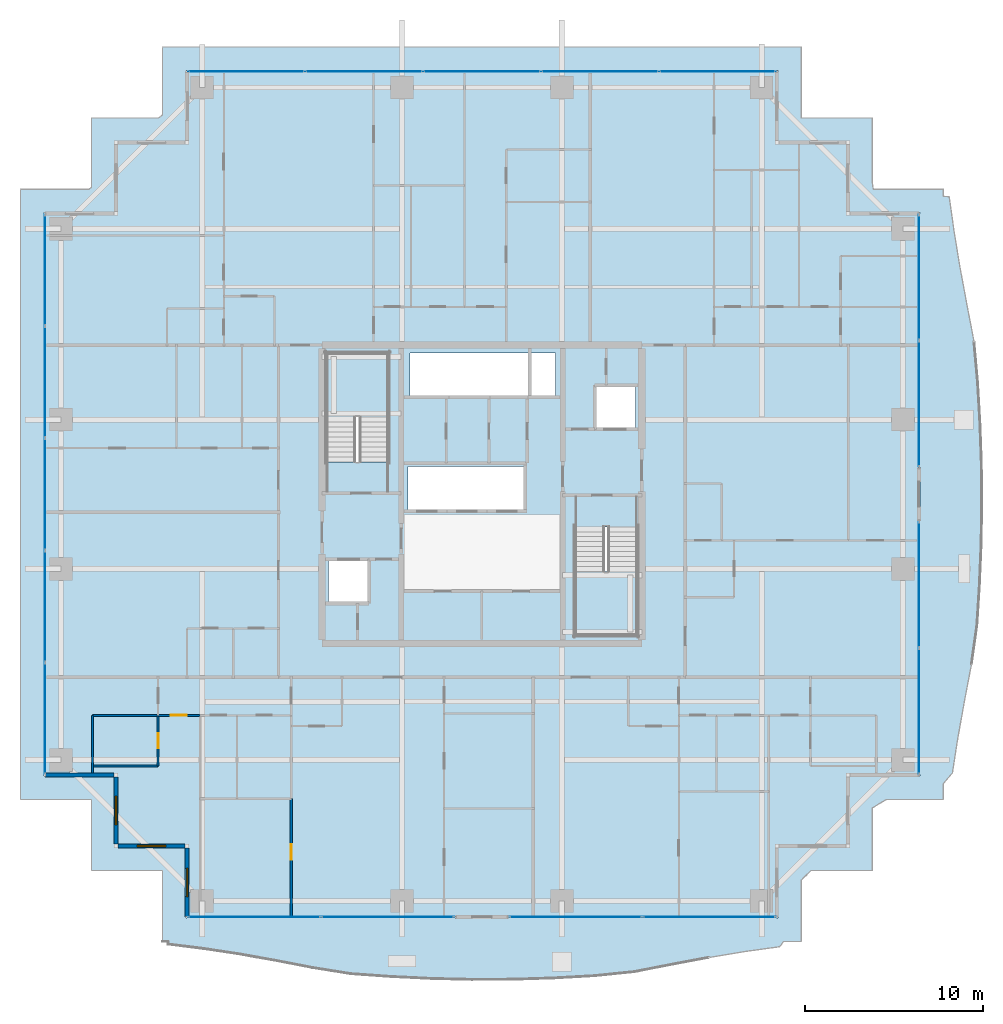
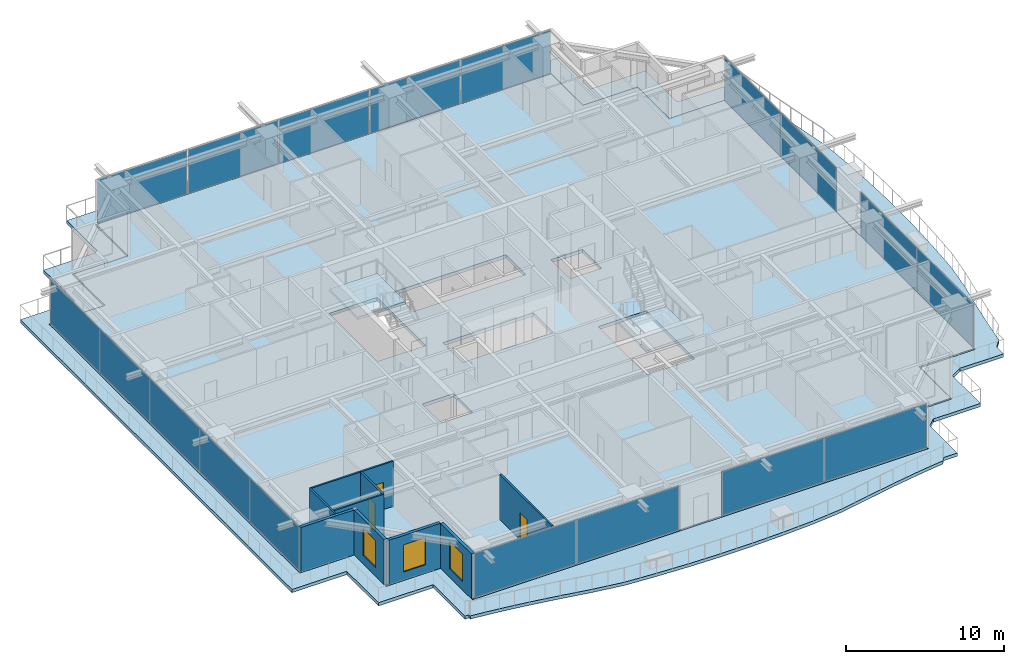
# One storey, part 26 of 38: 18 plates, 10 walls, 4 slabs, 3 doors, 3 windows, 6 openings, 8 elements without a shape of their own.
"""IFC4 building model written with IfcOpenShell, lengths in metres."""

import ifcopenshell
import ifcopenshell.guid

model = None  # the IFC model being written
_history = None  # IfcOwnerHistory: only IFC2X3 demands one
_inside = {}  # id of a spatial element -> (the spatial element, [elements in it])
_under = {}  # id of a project, library or spatial element -> (it, [spatial elements below it])
_declared = {}  # id of a project -> (the project, [libraries it declares])
_typed = {}  # id of a type object -> (the type object, [elements of that type])
_made_of = {}  # id of a material, layer set ... -> (it, [elements and type objects made of it])


def new_model(schema):
    """Start an empty IFC model of exactly this schema.

    Asked for "IFC4X3", IfcOpenShell would pick the latest addendum, in which some entities
    have other attributes; the version numbers below select the first issue.
    IFC2X3 requires an IfcOwnerHistory on every rooted entity: one is made here for all.
    """
    global model, _history
    if schema == "IFC4X3":
        model = ifcopenshell.file(schema_version=(4, 3, 0, 0))
    else:
        model = ifcopenshell.file(schema=schema)
    _inside.clear()
    _under.clear()
    _declared.clear()
    _typed.clear()
    _made_of.clear()
    _history = None
    if model.schema == "IFC2X3":
        org = make("IfcOrganization", Name="unknown")
        user = make(
            "IfcPersonAndOrganization",
            ThePerson=make("IfcPerson", FamilyName="unknown"),
            TheOrganization=org,
        )
        app = make(
            "IfcApplication",
            ApplicationDeveloper=org,
            Version="unknown",
            ApplicationFullName="unknown",
            ApplicationIdentifier="unknown",
        )
        _history = make(
            "IfcOwnerHistory",
            OwningUser=user,
            OwningApplication=app,
            ChangeAction="ADDED",
            CreationDate=0,
        )
    return model


def make(cls, **values):
    """One entity of the class cls with the attributes given. An attribute that is None is left unset."""
    return model.create_entity(
        cls, **{name: value for name, value in values.items() if value is not None}
    )


def rooted(cls, **values):
    """An entity with a GlobalId (a new one), such as an element, a storey or a relation."""
    return make(cls, GlobalId=ifcopenshell.guid.new(), OwnerHistory=_history, **values)


def si_unit(unit_type, name, prefix=None):
    """IfcSIUnit, for example si_unit("LENGTHUNIT", "METRE", prefix="MILLI")."""
    return make("IfcSIUnit", UnitType=unit_type, Prefix=prefix, Name=name)


def assignment(units):
    """IfcUnitAssignment: the units of a project."""
    return None if units is None else make("IfcUnitAssignment", Units=units)


def point(xyz):
    """IfcCartesianPoint."""
    return None if xyz is None else make("IfcCartesianPoint", Coordinates=xyz)


def direction(xyz):
    """IfcDirection."""
    return None if xyz is None else make("IfcDirection", DirectionRatios=xyz)


def frame(location, z_axis=None, x_axis=None):
    """IfcAxis2Placement3D, a coordinate frame: its origin and axes. An axis left out is left unset."""
    return make(
        "IfcAxis2Placement3D",
        Location=point(location),
        Axis=direction(z_axis),
        RefDirection=direction(x_axis),
    )


def frame_2d(location, x_axis=None):
    """IfcAxis2Placement2D, a coordinate frame in the plane: its origin and x axis."""
    return make(
        "IfcAxis2Placement2D", Location=point(location), RefDirection=direction(x_axis)
    )


def origin():
    """The frame at (0, 0, 0) with its axes left unset."""
    return frame((0.0, 0.0, 0.0))


def origin_2d():
    """The frame at (0, 0) in the plane with its x axis left unset."""
    return frame_2d((0.0, 0.0))


def place(relative_to, where):
    """IfcLocalPlacement: puts the frame where relative to a parent placement (None: the world)."""
    return make(
        "IfcLocalPlacement", PlacementRelTo=relative_to, RelativePlacement=where
    )


def context(
    kind, dimensions, precision=None, world=None, true_north=None, identifier=None
):
    """IfcGeometricRepresentationContext, for example the 3D "Model" context."""
    return make(
        "IfcGeometricRepresentationContext",
        ContextIdentifier=identifier,
        ContextType=kind,
        CoordinateSpaceDimension=dimensions,
        Precision=precision,
        WorldCoordinateSystem=world,
        TrueNorth=true_north,
    )


def subcontext(parent, identifier, kind, view, scale=None):
    """IfcGeometricRepresentationSubContext, for example "Body" below "Model"."""
    return make(
        "IfcGeometricRepresentationSubContext",
        ContextIdentifier=identifier,
        ContextType=kind,
        ParentContext=parent,
        TargetScale=scale,
        TargetView=view,
    )


def project(units=None, contexts=None):
    """IfcProject with its units and contexts."""
    return rooted(
        "IfcProject",
        Name="project",
        RepresentationContexts=contexts,
        UnitsInContext=assignment(units),
    )


def spatial(cls, under=None, at=None, **own):
    """A site, building, storey or space (cls), placed at a placement, below another one or the project."""
    s = rooted(cls, ObjectPlacement=at, **own)
    if under is not None:
        _under.setdefault(under.id(), (under, []))[1].append(s)
    return s


def polyline(points):
    """IfcPolyline through the points."""
    return make("IfcPolyline", Points=[point(p) for p in points])


def profile(cls, at=None, kind="AREA", **sizes):
    """A parametric profile (cls). Its sizes go by their IFC names, for example OverallWidth=200.0."""
    return make(cls, ProfileType=kind, Position=at, **sizes)


def rectangle(**sizes):
    """IfcRectangleProfileDef."""
    return profile("IfcRectangleProfileDef", **sizes)


def outline(outer, holes=None, kind="AREA"):
    """IfcArbitraryClosedProfileDef: a profile drawn as a closed curve; with holes, ...WithVoids."""
    if holes is None:
        return make("IfcArbitraryClosedProfileDef", ProfileType=kind, OuterCurve=outer)
    return make(
        "IfcArbitraryProfileDefWithVoids",
        ProfileType=kind,
        OuterCurve=outer,
        InnerCurves=holes,
    )


def extrude(swept, where, along, depth):
    """IfcExtrudedAreaSolid: the profile swept, set in the frame where, extruded along a direction by depth."""
    return make(
        "IfcExtrudedAreaSolid",
        SweptArea=swept,
        Position=where,
        ExtrudedDirection=direction(along),
        Depth=depth,
    )


def shape(context_of_items, identifier, shape_type, items):
    """IfcShapeRepresentation: the items that make up one representation, for example the "Body"."""
    return make(
        "IfcShapeRepresentation",
        ContextOfItems=context_of_items,
        RepresentationIdentifier=identifier,
        RepresentationType=shape_type,
        Items=items,
    )


def source(mapping_origin, context_of_items, identifier, shape_type, items):
    """IfcRepresentationMap: a shape defined once, which mapped items show again and again."""
    return make(
        "IfcRepresentationMap",
        MappingOrigin=mapping_origin,
        MappedRepresentation=shape(context_of_items, identifier, shape_type, items),
    )


def transform(
    local_origin,
    x_axis=None,
    y_axis=None,
    z_axis=None,
    scale=None,
    scale2=None,
    scale3=None,
    uniform=True,
):
    """IfcCartesianTransformationOperator3D, or its non-uniform kind. x_axis, y_axis, z_axis: its Axis1, 2, 3."""
    if uniform:
        return make(
            "IfcCartesianTransformationOperator3D",
            Axis1=direction(x_axis),
            Axis2=direction(y_axis),
            LocalOrigin=point(local_origin),
            Scale=scale,
            Axis3=direction(z_axis),
        )
    return make(
        "IfcCartesianTransformationOperator3DnonUniform",
        Axis1=direction(x_axis),
        Axis2=direction(y_axis),
        LocalOrigin=point(local_origin),
        Scale=scale,
        Axis3=direction(z_axis),
        Scale2=scale2,
        Scale3=scale3,
    )


def mapped(mapping_source, mapping_target):
    """IfcMappedItem: shows the shape of a source again, moved by a transform."""
    return make(
        "IfcMappedItem", MappingSource=mapping_source, MappingTarget=mapping_target
    )


def material(Name=None, Category=None):
    """IfcMaterial."""
    return make("IfcMaterial", Name=Name, Category=Category)


def layer(
    of_material, thickness, ventilated=None, Name=None, Category=None, Priority=None
):
    """IfcMaterialLayer: one layer of a wall or slab, of a material (None: an air gap)."""
    return make(
        "IfcMaterialLayer",
        Material=of_material,
        LayerThickness=thickness,
        IsVentilated=ventilated,
        Name=Name,
        Category=Category,
        Priority=Priority,
    )


def layer_set(layers, Name=None):
    """IfcMaterialLayerSet."""
    return make("IfcMaterialLayerSet", MaterialLayers=layers, LayerSetName=Name)


def made_of(thing, what):
    """Note that an element or type object is made of a material, layer set ...; save() writes the relation."""
    if what is not None:
        _made_of.setdefault(what.id(), (what, []))[1].append(thing)
    return thing


def type_object(cls, material=None, **own):
    """A type object (cls), such as IfcWallType, which elements share."""
    return made_of(rooted(cls, **own), material)


def element(
    cls,
    number,
    at=None,
    inside=None,
    cuts=None,
    type_object=None,
    material=None,
    context=None,
    identifier="Body",
    shape_type=None,
    held_by="IfcProductDefinitionShape",
    body=None,
    shapes=None,
    **own,
):
    """One element of the class cls, such as IfcWall. Its Tag is "e" and its number.

    at: its placement. inside: the storey or other place that contains it. cuts: it is an
    opening in that element (IfcRelVoidsElement). A single representation is given by context,
    identifier, shape_type and body (its items); several are given by shapes. held_by: the class
    of the entity that holds the representations. save() writes the other relations.
    """
    e = rooted(cls, Tag="e%d" % number, ObjectPlacement=at, **own)
    if body is not None:
        shapes = [shape(context, identifier, shape_type, body)]
    if shapes is not None:
        e.Representation = make(held_by, Representations=shapes)
    if inside is not None:
        _inside.setdefault(inside.id(), (inside, []))[1].append(e)
    if cuts is not None:
        rooted(
            "IfcRelVoidsElement", RelatingBuildingElement=cuts, RelatedOpeningElement=e
        )
    if type_object is not None:
        _typed.setdefault(type_object.id(), (type_object, []))[1].append(e)
    return made_of(e, material)


def fill(opening, filler):
    """IfcRelFillsElement: the door or window that sits in an opening."""
    return rooted(
        "IfcRelFillsElement",
        RelatingOpeningElement=opening,
        RelatedBuildingElement=filler,
    )


def aggregate(whole, parts):
    """IfcRelAggregates: a whole, such as a stair, and the parts it consists of."""
    return rooted("IfcRelAggregates", RelatingObject=whole, RelatedObjects=parts)


def save(model, path):
    """Write the relations noted so far, then the file.

    IfcRelAggregates (storeys below a building ...), IfcRelContainedInSpatialStructure (elements
    in a storey), IfcRelDefinesByType, IfcRelAssociatesMaterial and IfcRelDeclares: one each for
    every whole, place, type object, material and project.
    """
    for whole, parts in _under.values():
        aggregate(whole, parts)
    for where, things in _inside.values():
        rooted(
            "IfcRelContainedInSpatialStructure",
            RelatedElements=things,
            RelatingStructure=where,
        )
    for kind, things in _typed.values():
        rooted("IfcRelDefinesByType", RelatedObjects=things, RelatingType=kind)
    for what, things in _made_of.values():
        rooted("IfcRelAssociatesMaterial", RelatedObjects=things, RelatingMaterial=what)
    for by, libraries in _declared.values():
        rooted("IfcRelDeclares", RelatingContext=by, RelatedDefinitions=libraries)
    model.write(path)


model = new_model("IFC4")

# Units and contexts
model_context = context("Model", 3, precision=1e-05, world=origin(), true_north=direction((0.0, 1.0)))
body_context = subcontext(model_context, "Body", "Model", "MODEL_VIEW")
ifc_project = project(units=[si_unit("LENGTHUNIT", "METRE"), si_unit("AREAUNIT", "SQUARE_METRE"), si_unit("VOLUMEUNIT", "CUBIC_METRE"), si_unit("PLANEANGLEUNIT", "RADIAN"), si_unit("MASSUNIT", "GRAM", prefix="KILO")], contexts=[model_context])

# Site, building, storey
site_placement = place(None, origin())
site = spatial("IfcSite", under=ifc_project, at=site_placement, CompositionType="ELEMENT")
building_placement = place(site_placement, origin())
building = spatial("IfcBuilding", under=site, at=building_placement, Name="Serunith Strait Residences", CompositionType="ELEMENT")
storey_placement = place(building_placement, frame((0.0, 0.0, 176.39990234375)))
storey = spatial("IfcBuildingStorey", under=building, at=storey_placement, Name="L44", CompositionType="ELEMENT", Elevation=176.39990234375)

# Slab
ifc_material_1 = material(Name="Concrete C50/60", Category="concrete")
ifc_layer_1 = layer(ifc_material_1, 0.239990234375, Name="Concrete C50/60")
ifc_layer_set_1 = layer_set([ifc_layer_1], Name="Concrete C50/60")
slab_type_1 = type_object("IfcSlabType", Name="SLB-BALC-240", PredefinedType="FLOOR", material=ifc_layer_set_1)
slab_1_placement = place(storey_placement, frame((0.0, 0.0, -0.289794921875)))
element("IfcSlab", 1, at=slab_1_placement, inside=storey, type_object=slab_type_1, Name="L44 Planted Vertical-Forest Balcony Slab", PredefinedType="FLOOR", context=body_context, shape_type="SweptSolid", body=[
    extrude(outline(polyline([(14.419921875, 0.02001953125), (14.419921875, 4.02001953125), (10.419921875, 4.02001953125), (10.419921875, 8.02001953125), (6.419921875, 8.02001953125), (6.419921875, 42.3798828125), (10.284912109375, 42.3798828125), (10.419921875, 42.47802734375), (10.419921875, 46.3798828125), (14.1982421875, 46.3798828125), (14.419921875, 46.55908203125), (14.419921875, 50.3798828125), (50.3798828125, 50.3798828125), (50.3798828125, 46.3798828125), (54.3798828125, 46.3798828125), (54.3798828125, 42.723388671875), (54.4306640625, 42.3798828125), (58.3798828125, 42.3798828125), (58.3798828125, 41.972412109375), (58.706787109375, 41.95361328125), (58.987060546875, 39.952392578125), (59.322509765625, 37.931640625), (59.7041015625, 35.873779296875), (60.108642578125, 33.760498046875), (60.309326171875, 31.534423828125), (60.442626953125, 29.265869140625), (60.52490234375, 26.97216796875), (60.548095703125, 24.666015625), (60.51025390625, 22.3623046875), (60.414794921875, 20.0751953125), (60.270751953125, 17.81689453125), (59.96142578125, 15.639404296875), (59.562744140625, 13.55078125), (59.197509765625, 11.5107421875), (58.88330078125, 9.500244140625), (58.3798828125, 8.91259765625), (58.3798828125, 8.02001953125), (55.173828125, 8.02001953125), (54.3798828125, 7.547119140625), (54.3798828125, 4.02001953125), (50.934814453125, 4.02001953125), (50.3798828125, 3.486083984375), (50.3798828125, 0.02001953125), (49.37158203125, 0.02001953125), (49.1650390625, -0.2685546875), (47.16650390625, -0.54638671875), (45.149169921875, -0.8828125), (43.09521484375, -1.268798828125), (40.98388671875, -1.68115234375), (38.759521484375, -1.908935546875), (36.481689453125, -2.037109375), (34.1787109375, -2.110107421875), (31.8642578125, -2.120361328125), (29.554931640625, -2.06689453125), (27.265625, -1.955078125), (25.00830078125, -1.79638671875), (22.845458984375, -1.448486328125), (20.76611328125, -1.04541015625), (18.73291015625, -0.683837890625), (16.726806640625, -0.37890625), (14.7314453125, -0.132080078125), (14.732666015625, 0.02001953125), (14.419921875, 0.02001953125)]), holes=[polyline([(49.054931640625, 1.344970703125), (49.054931640625, 5.344970703125), (53.054931640625, 5.344970703125), (53.054931640625, 9.344970703125), (57.054931640625, 9.344970703125), (57.054931640625, 41.054931640625), (53.054931640625, 41.054931640625), (53.054931640625, 45.054931640625), (49.054931640625, 45.054931640625), (49.054931640625, 49.054931640625), (15.7451171875, 49.054931640625), (15.7451171875, 45.054931640625), (11.7451171875, 45.054931640625), (11.7451171875, 41.054931640625), (7.7451171875, 41.054931640625), (7.7451171875, 9.344970703125), (11.7451171875, 9.344970703125), (11.7451171875, 5.344970703125), (15.7451171875, 5.344970703125), (15.7451171875, 1.344970703125), (49.054931640625, 1.344970703125)])]), origin(), (0.0, 0.0, 1.0), 0.239990234375),
])

# Stair, slab
stair_type_1 = type_object("IfcStairType", Name="STR-CORE-1", PredefinedType="HALF_TURN_STAIR", material=ifc_material_1)
stair_1_placement = place(storey_placement, origin())
stair_1 = element("IfcStair", 2, at=stair_1_placement, inside=storey, type_object=stair_type_1, Name="L44 Protected Escape Stair ST-1", PredefinedType="HALF_TURN_STAIR")
ifc_layer_2 = layer(ifc_material_1, 0.199951171875, Name="Concrete C50/60")
ifc_layer_set_2 = layer_set([ifc_layer_2], Name="Concrete C50/60")
slab_type_2 = type_object("IfcSlabType", Name="SLB-LAND-200", PredefinedType="LANDING", material=ifc_layer_set_2)
slab_2_placement = place(storey_placement, frame((0.0, 0.0, 1.675048828125)))
slab_2 = element("IfcSlab", 3, at=slab_2_placement, type_object=slab_type_2, Name="ST-1 landing 1", PredefinedType="LANDING", context=body_context, shape_type="SweptSolid", body=[
    extrude(outline(polyline([(27.14990234375, 29.550048828125), (27.14990234375, 33.14990234375), (23.64990234375, 33.14990234375), (23.64990234375, 29.550048828125), (27.14990234375, 29.550048828125)])), origin(), (0.0, 0.0, 1.0), 0.199951171875),
])
aggregate(stair_1, [slab_2])

stair_type_2 = type_object("IfcStairType", Name="STR-CORE-2", PredefinedType="HALF_TURN_STAIR", material=ifc_material_1)
stair_2_placement = place(storey_placement, origin())
stair_2 = element("IfcStair", 4, at=stair_2_placement, inside=storey, type_object=stair_type_2, Name="L44 Protected Escape Stair ST-2", PredefinedType="HALF_TURN_STAIR")
slab_3_placement = place(storey_placement, frame((0.0, 0.0, 1.675048828125)))
slab_3 = element("IfcSlab", 5, at=slab_3_placement, type_object=slab_type_2, Name="ST-2 landing 1", PredefinedType="LANDING", context=body_context, shape_type="SweptSolid", body=[
    extrude(outline(polyline([(37.64990234375, 20.85009765625), (37.64990234375, 17.25), (41.14990234375, 17.25), (41.14990234375, 20.85009765625), (37.64990234375, 20.85009765625)])), origin(), (0.0, 0.0, 1.0), 0.199951171875),
])
aggregate(stair_2, [slab_3])

# Slab
ifc_material_2 = material(Name="Concrete C60/75", Category="concrete")
ifc_layer_3 = layer(ifc_material_2, 0.260009765625, Name="Concrete C60/75")
ifc_layer_set_3 = layer_set([ifc_layer_3], Name="Concrete C60/75")
slab_type_3 = type_object("IfcSlabType", Name="SLB-TWR-260-Z2", PredefinedType="FLOOR", material=ifc_layer_set_3)
slab_4_placement = place(storey_placement, frame((0.0, 0.0, -0.260009765625)))
element("IfcSlab", 6, at=slab_4_placement, inside=storey, type_object=slab_type_3, Name="L44 Structural Floor Plate", PredefinedType="FLOOR", context=body_context, shape_type="SweptSolid", body=[
    extrude(outline(polyline([(15.800048828125, 5.39990234375), (11.800048828125, 5.39990234375), (11.800048828125, 9.39990234375), (7.800048828125, 9.39990234375), (7.800048828125, 41.0), (11.800048828125, 41.0), (11.800048828125, 45.0), (15.800048828125, 45.0), (15.800048828125, 49.0), (49.0, 49.0), (49.0, 45.0), (53.0, 45.0), (53.0, 41.0), (57.0, 41.0), (57.0, 9.39990234375), (53.0, 9.39990234375), (53.0, 5.39990234375), (49.0, 5.39990234375), (49.0, 1.39990234375), (15.800048828125, 1.39990234375), (15.800048828125, 5.39990234375)]), holes=[polyline([(41.14990234375, 23.3701171875), (37.64990234375, 23.3701171875), (37.64990234375, 17.25), (41.14990234375, 17.25), (41.14990234375, 23.3701171875)]), polyline([(38.75, 31.25), (38.75, 28.85009765625), (41.050048828125, 28.85009765625), (41.050048828125, 31.25), (38.75, 31.25)]), polyline([(36.550048828125, 33.14990234375), (28.35009765625, 33.14990234375), (28.35009765625, 30.64990234375), (36.550048828125, 30.64990234375), (36.550048828125, 33.14990234375)]), polyline([(34.85009765625, 26.75), (28.25, 26.75), (28.25, 24.25), (34.85009765625, 24.25), (34.85009765625, 26.75)]), polyline([(23.64990234375, 33.14990234375), (23.64990234375, 27.030029296875), (27.14990234375, 27.030029296875), (27.14990234375, 33.14990234375), (23.64990234375, 33.14990234375)]), polyline([(26.050048828125, 21.550048828125), (23.75, 21.550048828125), (23.75, 19.14990234375), (26.050048828125, 19.14990234375), (26.050048828125, 21.550048828125)])]), origin(), (0.0, 0.0, 1.0), 0.260009765625),
])

# Curtain wall, plates
ifc_material_3 = material(Name="Pale-Champagne Anodised Aluminium", Category="aluminium")
ifc_layer_4 = layer(ifc_material_3, 0.199951171875, Name="Pale-Champagne Anodised Aluminium")
ifc_layer_set_4 = layer_set([ifc_layer_4], Name="Pale-Champagne Anodised Aluminium")
curtain_wall_type = type_object("IfcCurtainWallType", Name="CW-SYS2", PredefinedType="NOTDEFINED", material=ifc_layer_set_4)
curtain_wall_1_placement = place(storey_placement, origin())
curtain_wall_1 = element("IfcCurtainWall", 7, at=curtain_wall_1_placement, inside=storey, type_object=curtain_wall_type, Name="L44 N Unitised Fritted Curtain Wall", PredefinedType="NOTDEFINED")
ifc_material_4 = material(Name="Diagonal-Frit Operable Low-E Glazing 30mm", Category="glass")
ifc_layer_5 = layer(ifc_material_4, 0.030029296875, Name="Diagonal-Frit Operable Low-E Glazing 30mm")
ifc_layer_set_5 = layer_set([ifc_layer_5], Name="Diagonal-Frit Operable Low-E Glazing 30mm")
plate_type = type_object("IfcPlateType", Name="CW-SYS2-PNL", PredefinedType="CURTAIN_PANEL", material=ifc_layer_set_5)
shared_shape_1 = source(origin(), body_context, "Body", "SweptSolid", [
    extrude(rectangle(XDim=6.534912109375, YDim=0.030029296875, at=origin_2d()), origin(), (0.0, 0.0, 1.0), 3.35498046875),
])
plate_1_placement = place(storey_placement, frame((45.66259765625, 49.0, 0.06005859375), z_axis=(0.0, 0.0, 1.0), x_axis=(-1.0, 0.0, 0.0)))
plate_1 = element("IfcPlate", 8, at=plate_1_placement, type_object=plate_type, Name="CW-2 panel 1.1", PredefinedType="CURTAIN_PANEL", context=body_context, shape_type="MappedRepresentation", body=[
    mapped(shared_shape_1, transform((0.0, 0.0, 0.0), scale=1.0)),
])
plate_2_placement = place(storey_placement, frame((19.137451171875, 49.0, 0.06005859375), z_axis=(0.0, 0.0, 1.0), x_axis=(-1.0, 0.0, 0.0)))
plate_2 = element("IfcPlate", 9, at=plate_2_placement, type_object=plate_type, Name="CW-2 panel 5.1", PredefinedType="CURTAIN_PANEL", context=body_context, shape_type="MappedRepresentation", body=[
    mapped(shared_shape_1, transform((0.0, 0.0, 0.0), scale=1.0)),
])
shared_shape_2 = source(origin(), body_context, "Body", "SweptSolid", [
    extrude(rectangle(XDim=6.570068359375, YDim=0.030029296875, at=origin_2d()), origin(), (0.0, 0.0, 1.0), 3.35498046875),
])
plate_3_placement = place(storey_placement, frame((39.0400390625, 49.0, 0.06005859375), z_axis=(0.0, 0.0, 1.0), x_axis=(-1.0, 0.0, 0.0)))
plate_3 = element("IfcPlate", 10, at=plate_3_placement, type_object=plate_type, Name="CW-2 panel 2.1", PredefinedType="CURTAIN_PANEL", context=body_context, shape_type="MappedRepresentation", body=[
    mapped(shared_shape_2, transform((0.0, 0.0, 0.0), scale=1.0)),
])
plate_4_placement = place(storey_placement, frame((32.39990234375, 49.0, 0.06005859375), z_axis=(0.0, 0.0, 1.0), x_axis=(-1.0, 0.0, 0.0)))
plate_4 = element("IfcPlate", 11, at=plate_4_placement, type_object=plate_type, Name="CW-2 panel 3.1", PredefinedType="CURTAIN_PANEL", context=body_context, shape_type="MappedRepresentation", body=[
    mapped(shared_shape_2, transform((0.0, 0.0, 0.0), scale=1.0)),
])
plate_5_placement = place(storey_placement, frame((25.760009765625, 49.0, 0.06005859375), z_axis=(0.0, 0.0, 1.0), x_axis=(-1.0, 0.0, 0.0)))
plate_5 = element("IfcPlate", 12, at=plate_5_placement, type_object=plate_type, Name="CW-2 panel 4.1", PredefinedType="CURTAIN_PANEL", context=body_context, shape_type="MappedRepresentation", body=[
    mapped(shared_shape_2, transform((0.0, 0.0, 0.0), scale=1.0)),
])
aggregate(curtain_wall_1, [plate_1, plate_3, plate_4, plate_5, plate_2])

curtain_wall_2_placement = place(storey_placement, origin())
curtain_wall_2 = element("IfcCurtainWall", 13, at=curtain_wall_2_placement, inside=storey, type_object=curtain_wall_type, Name="L44 W Unitised Fritted Curtain Wall", PredefinedType="NOTDEFINED")
shared_shape_3 = source(origin(), body_context, "Body", "SweptSolid", [
    extrude(rectangle(XDim=6.215087890625, YDim=0.030029296875, at=origin_2d()), origin(), (0.0, 0.0, 1.0), 3.35498046875),
])
plate_6_placement = place(storey_placement, frame((7.800048828125, 37.822509765625, 0.06005859375), z_axis=(0.0, 0.0, 1.0), x_axis=(0.0, -1.0, 0.0)))
plate_6 = element("IfcPlate", 14, at=plate_6_placement, type_object=plate_type, Name="CW-2 panel 1.1", PredefinedType="CURTAIN_PANEL", context=body_context, shape_type="MappedRepresentation", body=[
    mapped(shared_shape_3, transform((0.0, 0.0, 0.0), scale=1.0)),
])
plate_7_placement = place(storey_placement, frame((7.800048828125, 12.577392578125, 0.06005859375), z_axis=(0.0, 0.0, 1.0), x_axis=(0.0, -1.0, 0.0)))
plate_7 = element("IfcPlate", 15, at=plate_7_placement, type_object=plate_type, Name="CW-2 panel 5.1", PredefinedType="CURTAIN_PANEL", context=body_context, shape_type="MappedRepresentation", body=[
    mapped(shared_shape_3, transform((0.0, 0.0, 0.0), scale=1.0)),
])
shared_shape_4 = source(origin(), body_context, "Body", "SweptSolid", [
    extrude(rectangle(XDim=6.25, YDim=0.030029296875, at=origin_2d()), origin(), (0.0, 0.0, 1.0), 3.35498046875),
])
plate_8_placement = place(storey_placement, frame((7.800048828125, 31.52001953125, 0.06005859375), z_axis=(0.0, 0.0, 1.0), x_axis=(0.0, -1.0, 0.0)))
plate_8 = element("IfcPlate", 16, at=plate_8_placement, type_object=plate_type, Name="CW-2 panel 2.1", PredefinedType="CURTAIN_PANEL", context=body_context, shape_type="MappedRepresentation", body=[
    mapped(shared_shape_4, transform((0.0, 0.0, 0.0), scale=1.0)),
])
plate_9_placement = place(storey_placement, frame((7.800048828125, 25.199951171875, 0.06005859375), z_axis=(0.0, 0.0, 1.0), x_axis=(0.0, -1.0, 0.0)))
plate_9 = element("IfcPlate", 17, at=plate_9_placement, type_object=plate_type, Name="CW-2 panel 3.1", PredefinedType="CURTAIN_PANEL", context=body_context, shape_type="MappedRepresentation", body=[
    mapped(shared_shape_4, transform((0.0, 0.0, 0.0), scale=1.0)),
])
plate_10_placement = place(storey_placement, frame((7.800048828125, 18.8798828125, 0.06005859375), z_axis=(0.0, 0.0, 1.0), x_axis=(0.0, -1.0, 0.0)))
plate_10 = element("IfcPlate", 18, at=plate_10_placement, type_object=plate_type, Name="CW-2 panel 4.1", PredefinedType="CURTAIN_PANEL", context=body_context, shape_type="MappedRepresentation", body=[
    mapped(shared_shape_4, transform((0.0, 0.0, 0.0), scale=1.0)),
])
aggregate(curtain_wall_2, [plate_6, plate_8, plate_9, plate_10, plate_7])

curtain_wall_3_placement = place(storey_placement, origin())
curtain_wall_3 = element("IfcCurtainWall", 19, at=curtain_wall_3_placement, inside=storey, type_object=curtain_wall_type, Name="L44 S Unitised Fritted Curtain Wall", PredefinedType="NOTDEFINED")
shared_shape_5 = source(origin(), body_context, "Body", "SweptSolid", [
    extrude(rectangle(XDim=7.445068359375, YDim=0.030029296875, at=origin_2d()), origin(), (0.0, 0.0, 1.0), 3.35498046875),
])
plate_11_placement = place(storey_placement, frame((19.592529296875, 1.39990234375, 0.06005859375), z_axis=(0.0, 0.0, 1.0), x_axis=(1.0, 0.0, 0.0)))
plate_11 = element("IfcPlate", 20, at=plate_11_placement, type_object=plate_type, Name="CW-2 panel 1.1", PredefinedType="CURTAIN_PANEL", context=body_context, shape_type="MappedRepresentation", body=[
    mapped(shared_shape_5, transform((0.0, 0.0, 0.0), scale=1.0)),
])
plate_12_placement = place(storey_placement, frame((27.107421875, 1.39990234375, 0.06005859375), z_axis=(0.0, 0.0, 1.0), x_axis=(1.0, 0.0, 0.0)))
plate_12 = element("IfcPlate", 21, at=plate_12_placement, type_object=plate_type, Name="CW-2 panel 2.1", PredefinedType="CURTAIN_PANEL", context=body_context, shape_type="MappedRepresentation", body=[
    mapped(shared_shape_5, transform((0.0, 0.0, 0.0), scale=1.0)),
])
aggregate(curtain_wall_3, [plate_11, plate_12])

curtain_wall_4_placement = place(storey_placement, origin())
curtain_wall_4 = element("IfcCurtainWall", 22, at=curtain_wall_4_placement, inside=storey, type_object=curtain_wall_type, Name="L44 S Unitised Fritted Curtain Wall", PredefinedType="NOTDEFINED")
plate_13_placement = place(storey_placement, frame((37.6923828125, 1.39990234375, 0.06005859375), z_axis=(0.0, 0.0, 1.0), x_axis=(1.0, 0.0, 0.0)))
plate_13 = element("IfcPlate", 23, at=plate_13_placement, type_object=plate_type, Name="CW-2 panel 1.1", PredefinedType="CURTAIN_PANEL", context=body_context, shape_type="MappedRepresentation", body=[
    mapped(shared_shape_5, transform((0.0, 0.0, 0.0), scale=1.0)),
])
plate_14_placement = place(storey_placement, frame((45.20751953125, 1.39990234375, 0.06005859375), z_axis=(0.0, 0.0, 1.0), x_axis=(1.0, 0.0, 0.0)))
plate_14 = element("IfcPlate", 24, at=plate_14_placement, type_object=plate_type, Name="CW-2 panel 2.1", PredefinedType="CURTAIN_PANEL", context=body_context, shape_type="MappedRepresentation", body=[
    mapped(shared_shape_5, transform((0.0, 0.0, 0.0), scale=1.0)),
])
aggregate(curtain_wall_4, [plate_13, plate_14])

curtain_wall_5_placement = place(storey_placement, origin())
curtain_wall_5 = element("IfcCurtainWall", 25, at=curtain_wall_5_placement, inside=storey, type_object=curtain_wall_type, Name="L44 E Unitised Fritted Curtain Wall", PredefinedType="NOTDEFINED")
shared_shape_6 = source(origin(), body_context, "Body", "SweptSolid", [
    extrude(rectangle(XDim=7.044921875, YDim=0.030029296875, at=origin_2d()), origin(), (0.0, 0.0, 1.0), 3.35498046875),
])
plate_15_placement = place(storey_placement, frame((57.0, 12.992431640625, 0.06005859375), z_axis=(0.0, 0.0, 1.0), x_axis=(0.0, 1.0, 0.0)))
plate_15 = element("IfcPlate", 26, at=plate_15_placement, type_object=plate_type, Name="CW-2 panel 1.1", PredefinedType="CURTAIN_PANEL", context=body_context, shape_type="MappedRepresentation", body=[
    mapped(shared_shape_6, transform((0.0, 0.0, 0.0), scale=1.0)),
])
plate_16_placement = place(storey_placement, frame((57.0, 20.107421875, 0.06005859375), z_axis=(0.0, 0.0, 1.0), x_axis=(0.0, 1.0, 0.0)))
plate_16 = element("IfcPlate", 27, at=plate_16_placement, type_object=plate_type, Name="CW-2 panel 2.1", PredefinedType="CURTAIN_PANEL", context=body_context, shape_type="MappedRepresentation", body=[
    mapped(shared_shape_6, transform((0.0, 0.0, 0.0), scale=1.0)),
])
aggregate(curtain_wall_5, [plate_15, plate_16])

curtain_wall_6_placement = place(storey_placement, origin())
curtain_wall_6 = element("IfcCurtainWall", 28, at=curtain_wall_6_placement, inside=storey, type_object=curtain_wall_type, Name="L44 E Unitised Fritted Curtain Wall", PredefinedType="NOTDEFINED")
plate_17_placement = place(storey_placement, frame((57.0, 30.29248046875, 0.06005859375), z_axis=(0.0, 0.0, 1.0), x_axis=(0.0, 1.0, 0.0)))
plate_17 = element("IfcPlate", 29, at=plate_17_placement, type_object=plate_type, Name="CW-2 panel 1.1", PredefinedType="CURTAIN_PANEL", context=body_context, shape_type="MappedRepresentation", body=[
    mapped(shared_shape_6, transform((0.0, 0.0, 0.0), scale=1.0)),
])
plate_18_placement = place(storey_placement, frame((57.0, 37.407470703125, 0.06005859375), z_axis=(0.0, 0.0, 1.0), x_axis=(0.0, 1.0, 0.0)))
plate_18 = element("IfcPlate", 30, at=plate_18_placement, type_object=plate_type, Name="CW-2 panel 2.1", PredefinedType="CURTAIN_PANEL", context=body_context, shape_type="MappedRepresentation", body=[
    mapped(shared_shape_6, transform((0.0, 0.0, 0.0), scale=1.0)),
])
aggregate(curtain_wall_6, [plate_17, plate_18])

# Wall
ifc_material_5 = material(Name="Pale-Champagne Aluminium Insulated Panel", Category="aluminium")
ifc_layer_6 = layer(ifc_material_5, 0.219970703125, Name="Pale-Champagne Aluminium Insulated Panel")
ifc_layer_set_6 = layer_set([ifc_layer_6], Name="Pale-Champagne Aluminium Insulated Panel")
wall_type_1 = type_object("IfcWallType", Name="EW-ALUM-220", PredefinedType="ELEMENTEDWALL", material=ifc_layer_set_6)
wall_1_placement = place(storey_placement, frame((7.800048828125, 9.39990234375, 0.0), z_axis=(0.0, 0.0, 1.0), x_axis=(1.0, 0.0, 0.0)))
element("IfcWall", 31, at=wall_1_placement, inside=storey, type_object=wall_type_1, Name="L44 Girih Serrated Corner Wall 17", PredefinedType="ELEMENTEDWALL", context=body_context, shape_type="SweptSolid", body=[
    extrude(rectangle(XDim=3.889892578125, YDim=0.219970703125, at=frame_2d((1.94482421875, 0.0))), origin(), (0.0, 0.0, 1.0), 3.47509765625),
])

# Wall, opening, window
wall_2_placement = place(storey_placement, frame((11.800048828125, 9.2900390625, 0.0), z_axis=(0.0, 0.0, 1.0), x_axis=(0.0, -1.0, 0.0)))
wall_2 = element("IfcWall", 32, at=wall_2_placement, inside=storey, type_object=wall_type_1, Name="L44 Girih Serrated Corner Wall 18", PredefinedType="ELEMENTEDWALL", context=body_context, shape_type="SweptSolid", body=[
    extrude(rectangle(XDim=3.780029296875, YDim=0.219970703125, at=frame_2d((1.89013671875, 0.0))), origin(), (0.0, 0.0, 1.0), 3.47509765625),
])
opening_1_placement = place(wall_2_placement, frame((1.090087890625, 0.0, 0.64990234375)))
opening_1 = element("IfcOpeningElement", 33, at=opening_1_placement, cuts=wall_2, Name="Opening W-02", PredefinedType="OPENING", context=body_context, shape_type="SweptSolid", body=[
    extrude(rectangle(XDim=1.60009765625, YDim=2.10009765625, at=frame_2d((0.800048828125, 1.050048828125))), frame((0.0, 0.1201171875, 0.0), z_axis=(0.0, -1.0, 0.0), x_axis=(1.0, 0.0, 0.0)), (0.0, 0.0, 1.0), 0.239990234375),
])
ifc_material_6 = material(Name="Ceramic-Fritted Operable Aluminium Window Glass", Category="aluminium")
window_type = type_object("IfcWindowType", Name="WIN-C2", PartitioningType="DOUBLE_PANEL_VERTICAL", PredefinedType="WINDOW", material=ifc_material_6)
shared_shape_7 = source(origin(), body_context, "Body", "SweptSolid", [
    extrude(rectangle(XDim=1.60009765625, YDim=2.10009765625, at=frame_2d((0.800048828125, 1.050048828125))), frame((0.0, 0.030029296875, 0.0), z_axis=(0.0, -1.0, 0.0), x_axis=(1.0, 0.0, 0.0)), (0.0, 0.0, 1.0), 0.06005859375),
])
window_1_placement = place(opening_1_placement, origin())
window_1 = element("IfcWindow", 34, at=window_1_placement, inside=storey, type_object=window_type, Name="L44 Corner Operable Fritted Window 18", OverallHeight=2.10009765625, OverallWidth=1.60009765625, PartitioningType="SINGLE_PANEL", PredefinedType="WINDOW", context=body_context, shape_type="MappedRepresentation", body=[
    mapped(shared_shape_7, transform((0.0, 0.0, 0.0), scale=1.0)),
])
fill(opening_1, window_1)

wall_3_placement = place(storey_placement, frame((11.909912109375, 5.39990234375, 0.0), z_axis=(0.0, 0.0, 1.0), x_axis=(1.0, 0.0, 0.0)))
wall_3 = element("IfcWall", 35, at=wall_3_placement, inside=storey, type_object=wall_type_1, Name="L44 Girih Serrated Corner Wall 19", PredefinedType="ELEMENTEDWALL", context=body_context, shape_type="SweptSolid", body=[
    extrude(rectangle(XDim=3.780029296875, YDim=0.219970703125, at=frame_2d((1.89013671875, 0.0))), origin(), (0.0, 0.0, 1.0), 3.47509765625),
])
opening_2_placement = place(wall_3_placement, frame((1.090087890625, 0.0, 0.64990234375)))
opening_2 = element("IfcOpeningElement", 36, at=opening_2_placement, cuts=wall_3, Name="Opening W-02", PredefinedType="OPENING", context=body_context, shape_type="SweptSolid", body=[
    extrude(rectangle(XDim=1.60009765625, YDim=2.10009765625, at=frame_2d((0.800048828125, 1.050048828125))), frame((0.0, 0.1201171875, 0.0), z_axis=(0.0, -1.0, 0.0), x_axis=(1.0, 0.0, 0.0)), (0.0, 0.0, 1.0), 0.239990234375),
])
window_2_placement = place(opening_2_placement, origin())
window_2 = element("IfcWindow", 37, at=window_2_placement, inside=storey, type_object=window_type, Name="L44 Corner Operable Fritted Window 19", OverallHeight=2.10009765625, OverallWidth=1.60009765625, PartitioningType="SINGLE_PANEL", PredefinedType="WINDOW", context=body_context, shape_type="MappedRepresentation", body=[
    mapped(shared_shape_7, transform((0.0, 0.0, 0.0), scale=1.0)),
])
fill(opening_2, window_2)

wall_4_placement = place(storey_placement, frame((15.800048828125, 5.2900390625, 0.0), z_axis=(0.0, 0.0, 1.0), x_axis=(0.0, -1.0, 0.0)))
wall_4 = element("IfcWall", 38, at=wall_4_placement, inside=storey, type_object=wall_type_1, Name="L44 Girih Serrated Corner Wall 20", PredefinedType="ELEMENTEDWALL", context=body_context, shape_type="SweptSolid", body=[
    extrude(rectangle(XDim=3.89013671875, YDim=0.219970703125, at=frame_2d((1.945068359375, 0.0))), origin(), (0.0, 0.0, 1.0), 3.47509765625),
])
opening_3_placement = place(wall_4_placement, frame((1.14501953125, 0.0, 0.64990234375)))
opening_3 = element("IfcOpeningElement", 39, at=opening_3_placement, cuts=wall_4, Name="Opening W-02", PredefinedType="OPENING", context=body_context, shape_type="SweptSolid", body=[
    extrude(rectangle(XDim=1.60009765625, YDim=2.10009765625, at=frame_2d((0.800048828125, 1.050048828125))), frame((0.0, 0.1201171875, 0.0), z_axis=(0.0, -1.0, 0.0), x_axis=(1.0, 0.0, 0.0)), (0.0, 0.0, 1.0), 0.239990234375),
])
window_3_placement = place(opening_3_placement, origin())
window_3 = element("IfcWindow", 40, at=window_3_placement, inside=storey, type_object=window_type, Name="L44 Corner Operable Fritted Window 20", OverallHeight=2.10009765625, OverallWidth=1.60009765625, PartitioningType="SINGLE_PANEL", PredefinedType="WINDOW", context=body_context, shape_type="MappedRepresentation", body=[
    mapped(shared_shape_7, transform((0.0, 0.0, 0.0), scale=1.0)),
])
fill(opening_3, window_3)

# Wall, opening, door
ifc_material_7 = material(Name="Lightweight steel-stud gypsum partition", Category="steel")
ifc_layer_7 = layer(ifc_material_7, 0.1201171875, Name="Lightweight steel-stud gypsum partition")
ifc_layer_set_7 = layer_set([ifc_layer_7], Name="Lightweight steel-stud gypsum partition")
wall_type_2 = type_object("IfcWallType", Name="IW-PART-120", PredefinedType="PARTITIONING", material=ifc_layer_set_7)
wall_5_placement = place(storey_placement, frame((21.669921875, 1.4951171875, 0.0), z_axis=(0.0, 0.0, 1.0), x_axis=(0.0, 1.0, 0.0)))
wall_5 = element("IfcWall", 41, at=wall_5_placement, inside=storey, type_object=wall_type_2, Name="L44 Partition Wall 035", PredefinedType="PARTITIONING", context=body_context, shape_type="SweptSolid", body=[
    extrude(rectangle(XDim=6.56787109375, YDim=0.1201171875, at=frame_2d((3.283935546875, 0.0))), origin(), (0.0, 0.0, 1.0), 3.489990234375),
])
opening_4_placement = place(wall_5_placement, frame((3.116943359375, 0.0, 0.0)))
opening_4 = element("IfcOpeningElement", 42, at=opening_4_placement, cuts=wall_5, Name="Opening D-RM900", PredefinedType="OPENING", context=body_context, shape_type="SweptSolid", body=[
    extrude(rectangle(XDim=0.89990234375, YDim=2.10009765625, at=frame_2d((0.449951171875, 1.050048828125))), frame((0.0, 0.070068359375, 0.0), z_axis=(0.0, -1.0, 0.0), x_axis=(1.0, 0.0, 0.0)), (0.0, 0.0, 1.0), 0.14013671875),
])
ifc_material_8 = material(Name="Engineered timber flush bedroom door", Category="wood")
door_type_1 = type_object("IfcDoorType", Name="ID-ROOM-900", OperationType="NOTDEFINED", PredefinedType="DOOR", material=ifc_material_8)
shared_shape_8 = source(origin(), body_context, "Body", "SweptSolid", [
    extrude(rectangle(XDim=0.89990234375, YDim=2.10009765625, at=frame_2d((0.449951171875, 1.050048828125))), frame((0.0, 0.02490234375, 0.0), z_axis=(0.0, -1.0, 0.0), x_axis=(1.0, 0.0, 0.0)), (0.0, 0.0, 1.0), 0.050048828125),
])
door_1_placement = place(opening_4_placement, origin())
door_1 = element("IfcDoor", 43, at=door_1_placement, inside=storey, type_object=door_type_1, Name="L44 Formal Dining Room 1 4401 Door", OperationType="SINGLE_SWING_RIGHT", OverallHeight=2.10009765625, OverallWidth=0.89990234375, PredefinedType="DOOR", context=body_context, shape_type="MappedRepresentation", body=[
    mapped(shared_shape_8, transform((0.0, 0.0, 0.0), scale=1.0)),
])
fill(opening_4, door_1)

wall_6_placement = place(storey_placement, frame((14.169921875, 12.75, 0.0), z_axis=(0.0, 0.0, 1.0), x_axis=(1.0, 0.0, 0.0)))
wall_6 = element("IfcWall", 44, at=wall_6_placement, inside=storey, type_object=wall_type_2, Name="L44 Partition Wall 042", PredefinedType="PARTITIONING", context=body_context, shape_type="SweptSolid", body=[
    extrude(rectangle(XDim=2.34814453125, YDim=0.1201171875, at=frame_2d((1.174072265625, 0.0))), origin(), (0.0, 0.0, 1.0), 3.489990234375),
])
opening_5_placement = place(wall_6_placement, frame((0.72412109375, 0.0, 0.0)))
opening_5 = element("IfcOpeningElement", 45, at=opening_5_placement, cuts=wall_6, Name="Opening D-RM900", PredefinedType="OPENING", context=body_context, shape_type="SweptSolid", body=[
    extrude(rectangle(XDim=0.89990234375, YDim=2.10009765625, at=frame_2d((0.449951171875, 1.050048828125))), frame((0.0, 0.070068359375, 0.0), z_axis=(0.0, -1.0, 0.0), x_axis=(1.0, 0.0, 0.0)), (0.0, 0.0, 1.0), 0.14013671875),
])
door_2_placement = place(opening_5_placement, origin())
door_2 = element("IfcDoor", 46, at=door_2_placement, inside=storey, type_object=door_type_1, Name="L44 Master Bedroom W 4401 Door", OperationType="SINGLE_SWING_LEFT", OverallHeight=2.10009765625, OverallWidth=0.89990234375, PredefinedType="DOOR", context=body_context, shape_type="MappedRepresentation", body=[
    mapped(shared_shape_8, transform((0.0, 0.0, 0.0), scale=1.0)),
])
fill(opening_5, door_2)

# Walls
wall_7_placement = place(storey_placement, frame((10.469970703125, 9.89501953125, 0.0), z_axis=(0.0, 0.0, 1.0), x_axis=(1.0, 0.0, 0.0)))
element("IfcWall", 47, at=wall_7_placement, inside=storey, type_object=wall_type_2, Name="L44 Partition Wall 043", PredefinedType="PARTITIONING", context=body_context, shape_type="SweptSolid", body=[
    extrude(rectangle(XDim=3.699951171875, YDim=0.1201171875, at=frame_2d((1.85009765625, 0.0))), origin(), (0.0, 0.0, 1.0), 3.489990234375),
])
wall_8_placement = place(storey_placement, frame((10.469970703125, 9.4951171875, 0.0), z_axis=(0.0, 0.0, 1.0), x_axis=(0.0, 1.0, 0.0)))
element("IfcWall", 48, at=wall_8_placement, inside=storey, type_object=wall_type_2, Name="L44 Partition Wall 044", PredefinedType="PARTITIONING", context=body_context, shape_type="SweptSolid", body=[
    extrude(rectangle(XDim=3.2548828125, YDim=0.1201171875, at=frame_2d((1.62744140625, 0.0))), origin(), (0.0, 0.0, 1.0), 3.489990234375),
])
wall_9_placement = place(storey_placement, frame((10.469970703125, 12.75, 0.0), z_axis=(0.0, 0.0, 1.0), x_axis=(1.0, 0.0, 0.0)))
element("IfcWall", 49, at=wall_9_placement, inside=storey, type_object=wall_type_2, Name="L44 Partition Wall 045", PredefinedType="PARTITIONING", context=body_context, shape_type="SweptSolid", body=[
    extrude(rectangle(XDim=3.697998046875, YDim=0.1201171875, at=frame_2d((1.84912109375, 0.0))), origin(), (0.0, 0.0, 1.0), 3.489990234375),
])

# Wall, opening, door
wall_10_placement = place(storey_placement, frame((14.169921875, 9.89501953125, 0.0), z_axis=(0.0, 0.0, 1.0), x_axis=(0.0, 1.0, 0.0)))
wall_10 = element("IfcWall", 50, at=wall_10_placement, inside=storey, type_object=wall_type_2, Name="L44 Partition Wall 046", PredefinedType="PARTITIONING", context=body_context, shape_type="SweptSolid", body=[
    extrude(rectangle(XDim=2.85498046875, YDim=0.1201171875, at=frame_2d((1.427490234375, 0.0))), origin(), (0.0, 0.0, 1.0), 3.489990234375),
])
opening_6_placement = place(wall_10_placement, frame((1.0029296875, 0.0, 0.0)))
opening_6 = element("IfcOpeningElement", 51, at=opening_6_placement, cuts=wall_10, Name="Opening D-BTH850", PredefinedType="OPENING", context=body_context, shape_type="SweptSolid", body=[
    extrude(rectangle(XDim=0.85009765625, YDim=2.10009765625, at=frame_2d((0.425048828125, 1.050048828125))), frame((0.0, 0.070068359375, 0.0), z_axis=(0.0, -1.0, 0.0), x_axis=(1.0, 0.0, 0.0)), (0.0, 0.0, 1.0), 0.14013671875),
])
ifc_material_9 = material(Name="Moisture-resistant timber bathroom door", Category="wood")
door_type_2 = type_object("IfcDoorType", Name="ID-BATH-850", OperationType="NOTDEFINED", PredefinedType="DOOR", material=ifc_material_9)
shared_shape_9 = source(origin(), body_context, "Body", "SweptSolid", [
    extrude(rectangle(XDim=0.85009765625, YDim=2.10009765625, at=frame_2d((0.425048828125, 1.050048828125))), frame((0.0, 0.02490234375, 0.0), z_axis=(0.0, -1.0, 0.0), x_axis=(1.0, 0.0, 0.0)), (0.0, 0.0, 1.0), 0.050048828125),
])
door_3_placement = place(opening_6_placement, origin())
door_3 = element("IfcDoor", 52, at=door_3_placement, inside=storey, type_object=door_type_2, Name="L44 En-suite Bathroom W 4401 Door", OperationType="SINGLE_SWING_RIGHT", OverallHeight=2.10009765625, OverallWidth=0.85009765625, PredefinedType="DOOR", context=body_context, shape_type="MappedRepresentation", body=[
    mapped(shared_shape_9, transform((0.0, 0.0, 0.0), scale=1.0)),
])
fill(opening_6, door_3)

save(model, "model.ifc")
